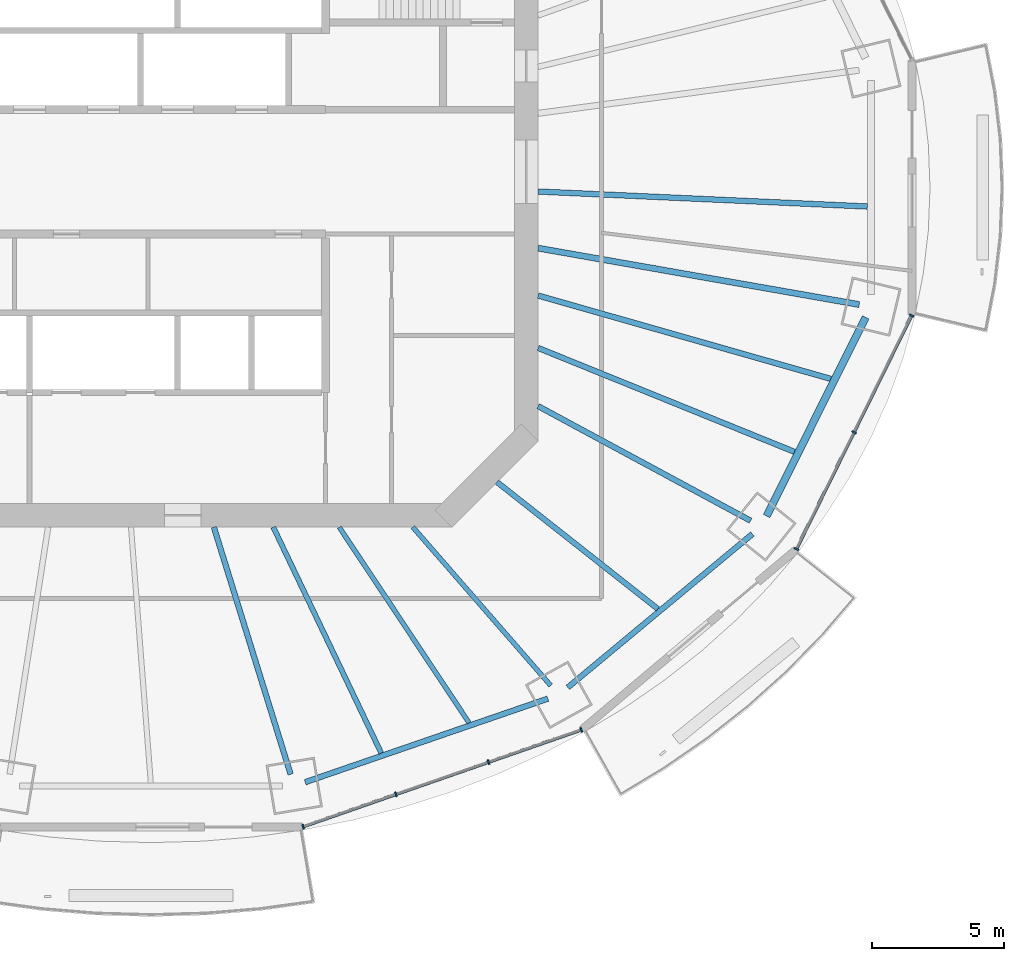
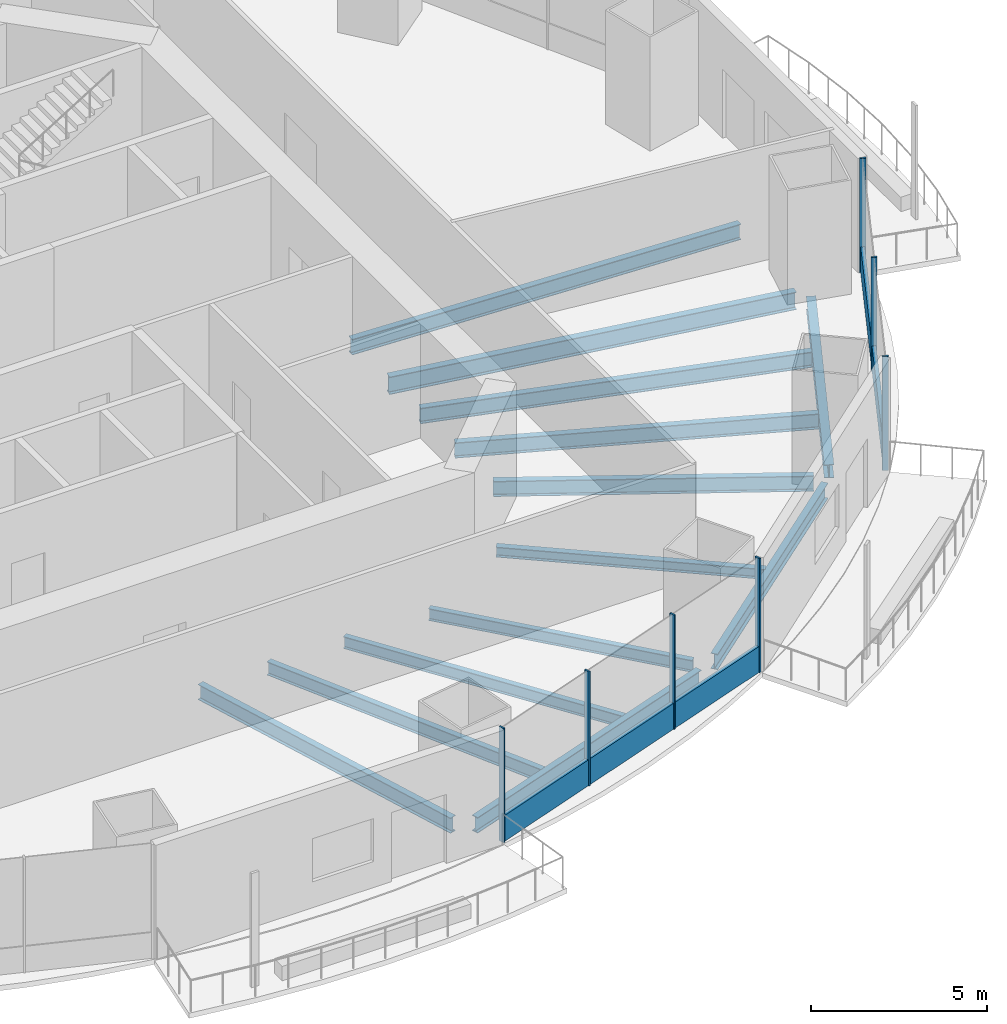
# One storey, part 4 of 18: 13 beams, 9 members, 2 elements without a shape of their own.
"""IFC4 building model written with IfcOpenShell, lengths in metres."""

from ifc_helpers import new_model, si_unit, direction, frame, origin, origin_2d, place, context, subcontext, project, spatial, rectangle, i_section, extrude, material, material_profile, profile_set, type_object, element, aggregate, save


model = new_model("IFC4")

# Units and contexts
model_context = context("Model", 3, precision=1e-05, world=origin(), true_north=direction((0.0, 1.0)))
body_context = subcontext(model_context, "Body", "Model", "MODEL_VIEW")
ifc_project = project(units=[si_unit("LENGTHUNIT", "METRE"), si_unit("AREAUNIT", "SQUARE_METRE"), si_unit("VOLUMEUNIT", "CUBIC_METRE"), si_unit("PLANEANGLEUNIT", "RADIAN"), si_unit("MASSUNIT", "GRAM", prefix="KILO")], contexts=[model_context])

# Site, building, storey
site_placement = place(None, origin())
site = spatial("IfcSite", under=ifc_project, at=site_placement, CompositionType="ELEMENT")
building_placement = place(site_placement, origin())
building = spatial("IfcBuilding", under=site, at=building_placement, Name="Marenthal Gate Tower", CompositionType="ELEMENT")
storey_placement = place(building_placement, frame((0.0, 0.0, 260.64990234375)))
storey = spatial("IfcBuildingStorey", under=building, at=storey_placement, Name="L58", CompositionType="ELEMENT", Elevation=260.64990234375)

# Curtain wall, members
ifc_material_1 = material(Name="Aluminium and glass", Category="aluminium")
curtain_wall_type = type_object("IfcCurtainWallType", Name="Curtain wall typical mid", PredefinedType="NOTDEFINED", material=ifc_material_1)
curtain_wall_1_placement = place(storey_placement, origin())
curtain_wall_1 = element("IfcCurtainWall", 1, at=curtain_wall_1_placement, inside=storey, type_object=curtain_wall_type, Name="Curtain wall L58 bay 13", PredefinedType="NOTDEFINED")
ifc_material_2 = material(Name="Aluminium", Category="aluminium")
ifc_material_profile_1 = material_profile(ifc_material_2, rectangle(XDim=0.179931640625, YDim=0.06005859375, at=origin_2d()), Name="60x180 aluminium mullion")
ifc_profile_set_1 = profile_set([ifc_material_profile_1], Name="Aluminium")
member_type_1 = type_object("IfcMemberType", Name="Mullion 60x180 typical mid", PredefinedType="MULLION", material=ifc_profile_set_1)
member_1_placement = place(storey_placement, frame((7.556396484375, -24.7841796875, 0.0), z_axis=(0.0, 0.0, 1.0), x_axis=(-0.328669787971, 0.944444900709, 0.0)))
member_1 = element("IfcMember", 2, at=member_1_placement, type_object=member_type_1, Name="Mullion L58 bay 13.1", PredefinedType="MULLION", context=body_context, shape_type="SweptSolid", body=[
    extrude(rectangle(XDim=0.179931640625, YDim=0.06005859375, at=origin_2d()), origin(), (0.0, 0.0, 1.0), 3.97021484375),
])
member_2_placement = place(storey_placement, frame((11.0654296875, -23.56298828125, 0.0), z_axis=(0.0, 0.0, 1.0), x_axis=(-0.328669787971, 0.944444900709, 0.0)))
member_2 = element("IfcMember", 3, at=member_2_placement, type_object=member_type_1, Name="Mullion L58 bay 13.2", PredefinedType="MULLION", context=body_context, shape_type="SweptSolid", body=[
    extrude(rectangle(XDim=0.179931640625, YDim=0.06005859375, at=origin_2d()), origin(), (0.0, 0.0, 1.0), 3.97021484375),
])
member_3_placement = place(storey_placement, frame((14.57470703125, -22.341796875, 0.0), z_axis=(0.0, 0.0, 1.0), x_axis=(-0.328669787971, 0.944444900709, 0.0)))
member_3 = element("IfcMember", 4, at=member_3_placement, type_object=member_type_1, Name="Mullion L58 bay 13.3", PredefinedType="MULLION", context=body_context, shape_type="SweptSolid", body=[
    extrude(rectangle(XDim=0.179931640625, YDim=0.06005859375, at=origin_2d()), origin(), (0.0, 0.0, 1.0), 3.97021484375),
])
member_4_placement = place(storey_placement, frame((18.083740234375, -21.12060546875, 0.0), z_axis=(0.0, 0.0, 1.0), x_axis=(-0.328669787971, 0.944444900709, 0.0)))
member_4 = element("IfcMember", 5, at=member_4_placement, type_object=member_type_1, Name="Mullion L58 bay 13.4", PredefinedType="MULLION", context=body_context, shape_type="SweptSolid", body=[
    extrude(rectangle(XDim=0.179931640625, YDim=0.06005859375, at=origin_2d()), origin(), (0.0, 0.0, 1.0), 3.97021484375),
])

curtain_wall_2_placement = place(storey_placement, origin())
curtain_wall_2 = element("IfcCurtainWall", 6, at=curtain_wall_2_placement, inside=storey, type_object=curtain_wall_type, Name="Curtain wall L58 bay 15", PredefinedType="NOTDEFINED")
member_5_placement = place(storey_placement, frame((26.22607421875, -14.27783203125, 0.0), z_axis=(0.0, 0.0, 1.0), x_axis=(-0.896920632002, 0.442191564697, 0.0)))
member_5 = element("IfcMember", 7, at=member_5_placement, type_object=member_type_1, Name="Mullion L58 bay 15.1", PredefinedType="MULLION", context=body_context, shape_type="SweptSolid", body=[
    extrude(rectangle(XDim=0.179931640625, YDim=0.06005859375, at=origin_2d()), origin(), (0.0, 0.0, 1.0), 3.97021484375),
])
member_6_placement = place(storey_placement, frame((28.40478515625, -9.858642578125, 0.0), z_axis=(0.0, 0.0, 1.0), x_axis=(-0.896920632002, 0.442191564697, 0.0)))
member_6 = element("IfcMember", 8, at=member_6_placement, type_object=member_type_1, Name="Mullion L58 bay 15.2", PredefinedType="MULLION", context=body_context, shape_type="SweptSolid", body=[
    extrude(rectangle(XDim=0.179931640625, YDim=0.06005859375, at=origin_2d()), origin(), (0.0, 0.0, 1.0), 3.97021484375),
])
member_7_placement = place(storey_placement, frame((30.58349609375, -5.439453125, 0.0), z_axis=(0.0, 0.0, 1.0), x_axis=(-0.896920632002, 0.442191564697, 0.0)))
member_7 = element("IfcMember", 9, at=member_7_placement, type_object=member_type_1, Name="Mullion L58 bay 15.3", PredefinedType="MULLION", context=body_context, shape_type="SweptSolid", body=[
    extrude(rectangle(XDim=0.179931640625, YDim=0.06005859375, at=origin_2d()), origin(), (0.0, 0.0, 1.0), 3.97021484375),
])

# Member
ifc_material_3 = material(Name="Aluminium", Category="aluminium")
ifc_material_profile_2 = material_profile(ifc_material_3, rectangle(XDim=0.1201171875, YDim=0.89990234375, at=origin_2d()), Name="120x900 aluminium transom")
ifc_profile_set_2 = profile_set([ifc_material_profile_2], Name="Aluminium")
member_type_2 = type_object("IfcMemberType", Name="Transom 120x900 typical mid", PredefinedType="USERDEFINED", material=ifc_profile_set_2)
member_8_placement = place(storey_placement, frame((7.584716796875, -24.774169921875, 0.4501953125), z_axis=(0.944445984358, 0.328666674047, 0.0), x_axis=(-0.328666674047, 0.944445984358, 0.0)))
member_8 = element("IfcMember", 10, at=member_8_placement, type_object=member_type_2, Name="Transom L58 bay 13", ObjectType="TRANSOM", PredefinedType="USERDEFINED", context=body_context, shape_type="SweptSolid", body=[
    extrude(rectangle(XDim=0.1201171875, YDim=0.89990234375, at=origin_2d()), origin(), (0.0, 0.0, 1.0), 11.086669921875),
])

aggregate(curtain_wall_1, [member_1, member_2, member_3, member_4, member_8])

member_9_placement = place(storey_placement, frame((26.2392578125, -14.2509765625, 0.4501953125), z_axis=(0.442201293044, 0.896915835756, 0.0), x_axis=(-0.896915835756, 0.442201293044, 0.0)))
member_9 = element("IfcMember", 11, at=member_9_placement, type_object=member_type_2, Name="Transom L58 bay 15", ObjectType="TRANSOM", PredefinedType="USERDEFINED", context=body_context, shape_type="SweptSolid", body=[
    extrude(rectangle(XDim=0.1201171875, YDim=0.89990234375, at=origin_2d()), origin(), (0.0, 0.0, 1.0), 9.794189453125),
])

aggregate(curtain_wall_2, [member_5, member_6, member_7, member_9])

# Beams
ifc_material_4 = material(Name="Steel S355", Category="steel")
ifc_material_profile_3 = material_profile(ifc_material_4, i_section(OverallWidth=0.205078125, OverallDepth=0.35302734375, WebThickness=0.009521484375, FlangeThickness=0.016845703125, FilletRadius=0.014892578125, at=origin_2d()), Name="W360X79")
ifc_profile_set_3 = profile_set([ifc_material_profile_3], Name="Steel S355")
beam_type_1 = type_object("IfcBeamType", Name="W360X79 beam", PredefinedType="BEAM", material=ifc_profile_set_3)
beam_1_placement = place(storey_placement, frame((20.981689453125, -16.544921875, -0.3564453125), z_axis=(-0.785242081101, 0.619188883999, 0.0), x_axis=(-0.619188883999, -0.785242081101, 0.0)))
element("IfcBeam", 12, at=beam_1_placement, inside=storey, type_object=beam_type_1, Name="BM-L58-37", PredefinedType="BEAM", context=body_context, shape_type="SweptSolid", body=[
    extrude(i_section(OverallWidth=0.205078125, OverallDepth=0.35302734375, WebThickness=0.009521484375, FlangeThickness=0.016845703125, FilletRadius=0.014892578125, at=origin_2d()), origin(), (0.0, 0.0, 1.0), 7.754150390625),
])
ifc_material_5 = material(Name="Steel S355", Category="steel")
ifc_material_profile_4 = material_profile(ifc_material_5, i_section(OverallWidth=0.180908203125, OverallDepth=0.4169921875, WebThickness=0.010986328125, FlangeThickness=0.018310546875, FilletRadius=0.01025390625, at=origin_2d()), Name="W410X85")
ifc_profile_set_4 = profile_set([ifc_material_profile_4], Name="Steel S355")
beam_type_2 = type_object("IfcBeamType", Name="W410X85 beam", PredefinedType="BEAM", material=ifc_profile_set_4)
beam_2_placement = place(storey_placement, frame((16.9248046875, -19.441650390625, -0.388427734375), z_axis=(-0.656583411742, 0.754253421222, 0.0), x_axis=(-0.754253421222, -0.656583411742, 0.0)))
element("IfcBeam", 13, at=beam_2_placement, inside=storey, type_object=beam_type_2, Name="BM-L58-14", PredefinedType="BEAM", context=body_context, shape_type="SweptSolid", body=[
    extrude(i_section(OverallWidth=0.180908203125, OverallDepth=0.4169921875, WebThickness=0.010986328125, FlangeThickness=0.018310546875, FilletRadius=0.01025390625, at=origin_2d()), origin(), (0.0, 0.0, 1.0), 7.94384765625),
])
beam_3_placement = place(storey_placement, frame((13.835693359375, -20.85498046875, -0.388427734375), z_axis=(-0.552822132695, 0.833299279732, 0.0), x_axis=(-0.833299279732, -0.552822132695, 0.0)))
element("IfcBeam", 14, at=beam_3_placement, inside=storey, type_object=beam_type_2, Name="BM-L58-36", PredefinedType="BEAM", context=body_context, shape_type="SweptSolid", body=[
    extrude(i_section(OverallWidth=0.180908203125, OverallDepth=0.4169921875, WebThickness=0.010986328125, FlangeThickness=0.018310546875, FilletRadius=0.01025390625, at=origin_2d()), origin(), (0.0, 0.0, 1.0), 8.886474609375),
])
ifc_material_6 = material(Name="Steel S355", Category="steel")
ifc_material_profile_5 = material_profile(ifc_material_6, i_section(OverallWidth=0.279052734375, OverallDepth=0.4619140625, WebThickness=0.0107421875, FlangeThickness=0.017333984375, FilletRadius=0.010009765625, at=origin_2d()), Name="W460X113")
ifc_profile_set_5 = profile_set([ifc_material_profile_5], Name="Steel S355")
beam_type_3 = type_object("IfcBeamType", Name="W460X113 beam", PredefinedType="BEAM", material=ifc_profile_set_5)
beam_4_placement = place(storey_placement, frame((25.098388671875, -13.027099609375, -0.410888671875), z_axis=(0.446074295106, 0.894995934765, 0.0), x_axis=(-0.894995934765, 0.446074295106, 0.0)))
element("IfcBeam", 15, at=beam_4_placement, inside=storey, type_object=beam_type_3, Name="BM-L58-55", PredefinedType="BEAM", context=body_context, shape_type="SweptSolid", body=[
    extrude(i_section(OverallWidth=0.279052734375, OverallDepth=0.4619140625, WebThickness=0.0107421875, FlangeThickness=0.017333984375, FilletRadius=0.010009765625, at=origin_2d()), origin(), (0.0, 0.0, 1.0), 8.40283203125),
])
ifc_material_7 = material(Name="Steel S355", Category="steel")
ifc_material_profile_6 = material_profile(ifc_material_7, i_section(OverallWidth=0.193115234375, OverallDepth=0.467041015625, WebThickness=0.011474609375, FlangeThickness=0.01904296875, FilletRadius=0.010009765625, at=origin_2d()), Name="W460X97")
ifc_profile_set_6 = profile_set([ifc_material_profile_6], Name="Steel S355")
beam_type_4 = type_object("IfcBeamType", Name="W460X97 beam", PredefinedType="BEAM", material=ifc_profile_set_6)
beam_5_placement = place(storey_placement, frame((10.511962890625, -21.9990234375, -0.413330078125), z_axis=(-0.431135442532, 0.902287221561, 0.0), x_axis=(-0.902287221561, -0.431135442532, 0.0)))
element("IfcBeam", 16, at=beam_5_placement, inside=storey, type_object=beam_type_4, Name="BM-L58-35", PredefinedType="BEAM", context=body_context, shape_type="SweptSolid", body=[
    extrude(i_section(OverallWidth=0.193115234375, OverallDepth=0.467041015625, WebThickness=0.011474609375, FlangeThickness=0.01904296875, FilletRadius=0.010009765625, at=origin_2d()), origin(), (0.0, 0.0, 1.0), 9.474853515625),
])
ifc_material_8 = material(Name="Steel S355", Category="steel")
ifc_material_profile_7 = material_profile(ifc_material_8, i_section(OverallWidth=0.2099609375, OverallDepth=0.535888671875, WebThickness=0.010986328125, FlangeThickness=0.017333984375, FilletRadius=0.0126953125, at=origin_2d()), Name="W530X101")
ifc_profile_set_7 = profile_set([ifc_material_profile_7], Name="Steel S355")
beam_type_5 = type_object("IfcBeamType", Name="W530X101 beam", PredefinedType="BEAM", material=ifc_profile_set_7)
beam_6_placement = place(storey_placement, frame((7.08349609375, -22.805908203125, -0.447998046875), z_axis=(-0.296625732146, 0.954993808896, 0.0), x_axis=(-0.954993808896, -0.296625732146, 0.0)))
element("IfcBeam", 17, at=beam_6_placement, inside=storey, type_object=beam_type_5, Name="BM-L58-13", PredefinedType="BEAM", context=body_context, shape_type="SweptSolid", body=[
    extrude(i_section(OverallWidth=0.2099609375, OverallDepth=0.535888671875, WebThickness=0.010986328125, FlangeThickness=0.017333984375, FilletRadius=0.0126953125, at=origin_2d()), origin(), (0.0, 0.0, 1.0), 9.796875),
])
beam_7_placement = place(storey_placement, frame((24.489013671875, -13.205810546875, -0.447998046875), z_axis=(-0.880185977713, 0.474628954697, 0.0), x_axis=(-0.474628954697, -0.880185977713, 0.0)))
element("IfcBeam", 18, at=beam_7_placement, inside=storey, type_object=beam_type_5, Name="BM-L58-15", PredefinedType="BEAM", context=body_context, shape_type="SweptSolid", body=[
    extrude(i_section(OverallWidth=0.2099609375, OverallDepth=0.535888671875, WebThickness=0.010986328125, FlangeThickness=0.017333984375, FilletRadius=0.0126953125, at=origin_2d()), origin(), (0.0, 0.0, 1.0), 9.13330078125),
])
beam_8_placement = place(storey_placement, frame((26.152099609375, -10.60009765625, -0.447998046875), z_axis=(-0.926762089721, 0.375648810801, 0.0), x_axis=(-0.375648810801, -0.926762089721, 0.0)))
element("IfcBeam", 19, at=beam_8_placement, inside=storey, type_object=beam_type_5, Name="BM-L58-38", PredefinedType="BEAM", context=body_context, shape_type="SweptSolid", body=[
    extrude(i_section(OverallWidth=0.2099609375, OverallDepth=0.535888671875, WebThickness=0.010986328125, FlangeThickness=0.017333984375, FilletRadius=0.0126953125, at=origin_2d()), origin(), (0.0, 0.0, 1.0), 10.46875),
])
ifc_material_9 = material(Name="Steel S355", Category="steel")
ifc_material_profile_8 = material_profile(ifc_material_9, i_section(OverallWidth=0.2119140625, OverallDepth=0.5439453125, WebThickness=0.01318359375, FlangeThickness=0.021240234375, FilletRadius=0.0126953125, at=origin_2d()), Name="W530X123")
ifc_profile_set_8 = profile_set([ifc_material_profile_8], Name="Steel S355")
beam_type_6 = type_object("IfcBeamType", Name="W530X123 beam", PredefinedType="BEAM", material=ifc_profile_set_8)
beam_9_placement = place(storey_placement, frame((27.528076171875, -7.839599609375, -0.451904296875), z_axis=(-0.961761933895, 0.273886806016, 0.0), x_axis=(-0.273886806016, -0.961761933895, 0.0)))
element("IfcBeam", 20, at=beam_9_placement, inside=storey, type_object=beam_type_6, Name="BM-L58-39", PredefinedType="BEAM", context=body_context, shape_type="SweptSolid", body=[
    extrude(i_section(OverallWidth=0.2119140625, OverallDepth=0.5439453125, WebThickness=0.01318359375, FlangeThickness=0.021240234375, FilletRadius=0.0126953125, at=origin_2d()), origin(), (0.0, 0.0, 1.0), 11.5185546875),
])
beam_10_placement = place(storey_placement, frame((28.90771484375, -1.314208984375, -0.451904296875), z_axis=(-0.998968015393, 0.045419205435, 0.0), x_axis=(-0.045419205435, -0.998968015393, 0.0)))
element("IfcBeam", 21, at=beam_10_placement, inside=storey, type_object=beam_type_6, Name="BM-L58-40", PredefinedType="BEAM", context=body_context, shape_type="SweptSolid", body=[
    extrude(i_section(OverallWidth=0.2119140625, OverallDepth=0.5439453125, WebThickness=0.01318359375, FlangeThickness=0.021240234375, FilletRadius=0.0126953125, at=origin_2d()), origin(), (0.0, 0.0, 1.0), 12.470703125),
])
beam_11_placement = place(storey_placement, frame((7.634033203125, -23.101806640625, -0.451904296875), z_axis=(0.945541390223, 0.325501888434, 0.0), x_axis=(-0.325501888434, 0.945541390223, 0.0)))
element("IfcBeam", 22, at=beam_11_placement, inside=storey, type_object=beam_type_6, Name="BM-L58-53", PredefinedType="BEAM", context=body_context, shape_type="SweptSolid", body=[
    extrude(i_section(OverallWidth=0.2119140625, OverallDepth=0.5439453125, WebThickness=0.01318359375, FlangeThickness=0.021240234375, FilletRadius=0.0126953125, at=origin_2d()), origin(), (0.0, 0.0, 1.0), 9.7138671875),
])
beam_12_placement = place(storey_placement, frame((17.57373046875, -19.514892578125, -0.451904296875), z_axis=(0.769071224025, 0.639163087464, 0.0), x_axis=(-0.639163087464, 0.769071224025, 0.0)))
element("IfcBeam", 23, at=beam_12_placement, inside=storey, type_object=beam_type_6, Name="BM-L58-54", PredefinedType="BEAM", context=body_context, shape_type="SweptSolid", body=[
    extrude(i_section(OverallWidth=0.2119140625, OverallDepth=0.5439453125, WebThickness=0.01318359375, FlangeThickness=0.021240234375, FilletRadius=0.0126953125, at=origin_2d()), origin(), (0.0, 0.0, 1.0), 9.0810546875),
])
ifc_material_10 = material(Name="Steel S355", Category="steel")
ifc_material_profile_9 = material_profile(ifc_material_10, i_section(OverallWidth=0.22900390625, OverallDepth=0.612060546875, WebThickness=0.011962890625, FlangeThickness=0.01953125, FilletRadius=0.0126953125, at=origin_2d()), Name="W610X125")
ifc_profile_set_9 = profile_set([ifc_material_profile_9], Name="Steel S355")
beam_type_7 = type_object("IfcBeamType", Name="W610X125 beam", PredefinedType="BEAM", material=ifc_profile_set_9)
beam_13_placement = place(storey_placement, frame((28.602294921875, -5.02587890625, -0.48583984375), z_axis=(-0.984911969998, 0.173056093089, 0.0), x_axis=(-0.173056093089, -0.984911969998, 0.0)))
element("IfcBeam", 24, at=beam_13_placement, inside=storey, type_object=beam_type_7, Name="BM-L58-16", PredefinedType="BEAM", context=body_context, shape_type="SweptSolid", body=[
    extrude(i_section(OverallWidth=0.22900390625, OverallDepth=0.612060546875, WebThickness=0.011962890625, FlangeThickness=0.01953125, FilletRadius=0.0126953125, at=origin_2d()), origin(), (0.0, 0.0, 1.0), 12.338623046875),
])

save(model, "model.ifc")
